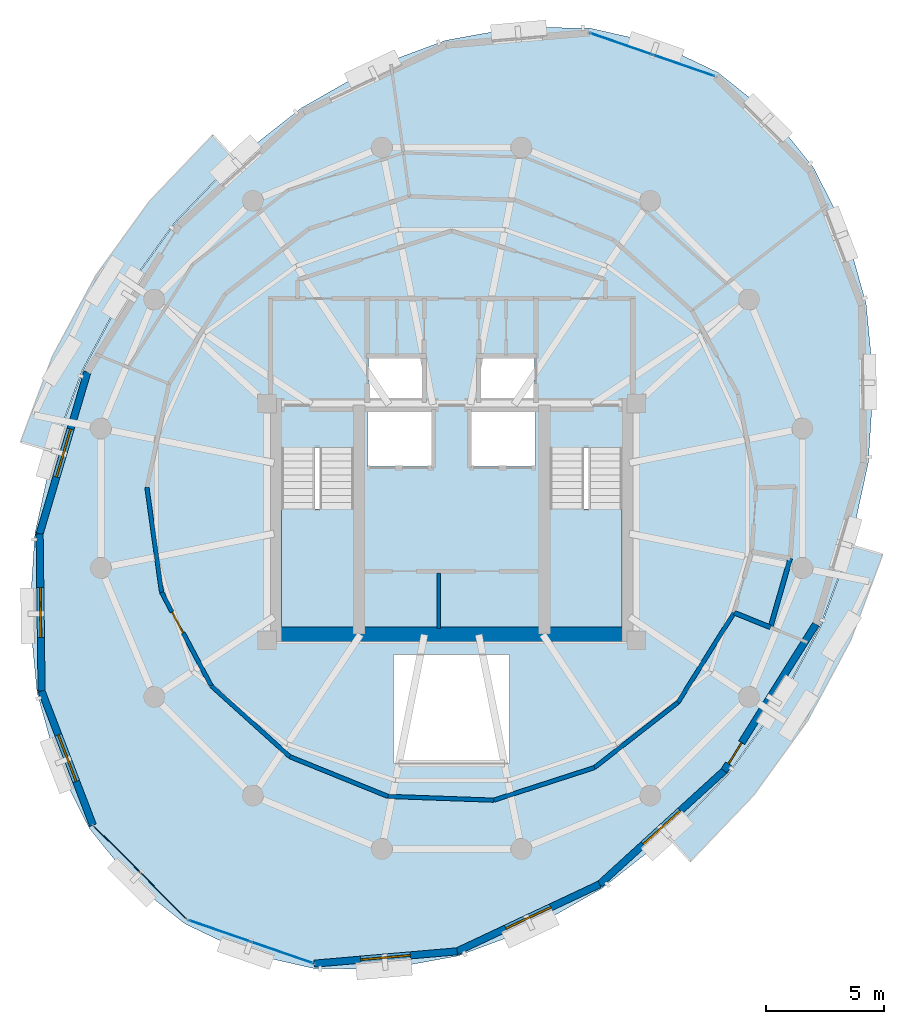
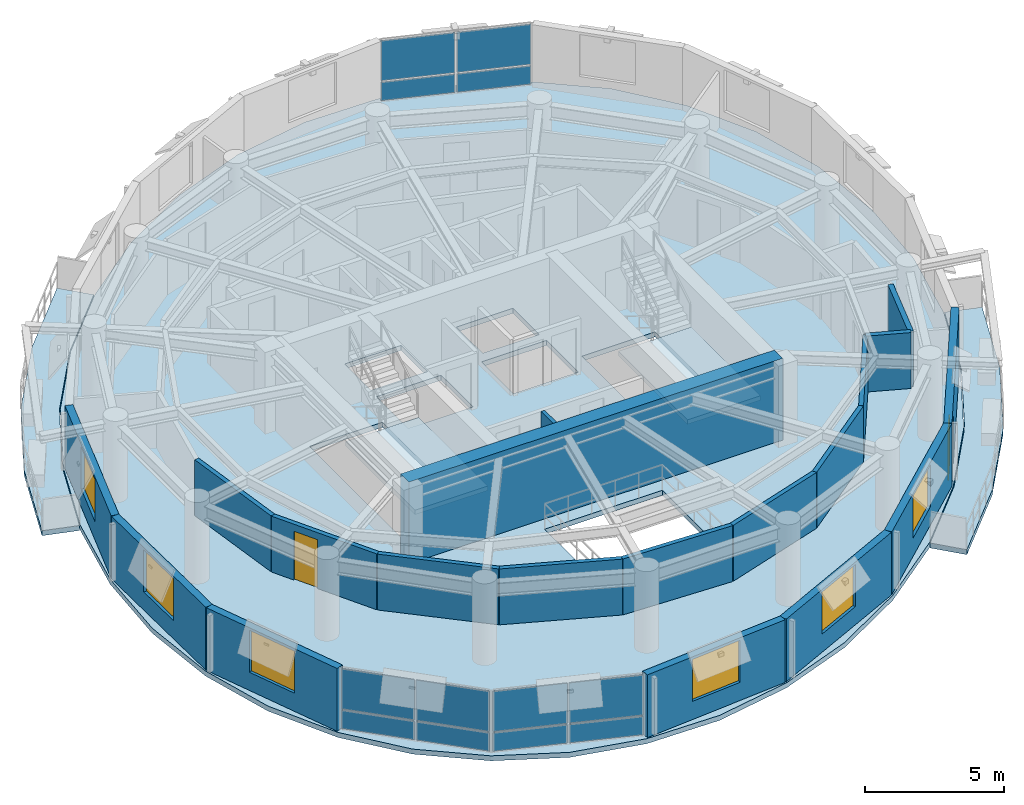
# One storey, part 6 of 11: 19 walls, 12 plates, 6 windows, 5 slabs, 2 doors, 8 openings, 5 elements without a shape of their own.
"""IFC4 building model written with IfcOpenShell, lengths in metres."""

from ifc_helpers import new_model, si_unit, direction, frame, frame_2d, origin, origin_2d, place, context, subcontext, project, spatial, polyline, rectangle, outline, extrude, material, layer, layer_set, type_object, element, fill, aggregate, save


model = new_model("IFC4")

# Units and contexts
model_context = context("Model", 3, precision=1e-05, world=origin(), true_north=direction((0.0, 1.0)))
body_context = subcontext(model_context, "Body", "Model", "MODEL_VIEW")
ifc_project = project(units=[si_unit("LENGTHUNIT", "METRE"), si_unit("AREAUNIT", "SQUARE_METRE"), si_unit("VOLUMEUNIT", "CUBIC_METRE"), si_unit("PLANEANGLEUNIT", "RADIAN"), si_unit("MASSUNIT", "GRAM", prefix="KILO"), si_unit("THERMODYNAMICTEMPERATUREUNIT", "KELVIN"), si_unit("POWERUNIT", "WATT")], contexts=[model_context])

# Site, building, storey
site_placement = place(None, origin())
site = spatial("IfcSite", under=ifc_project, at=site_placement, CompositionType="ELEMENT")
building_placement = place(site_placement, origin())
building = spatial("IfcBuilding", under=site, at=building_placement, Name="Ocrelia Relay Tower", CompositionType="ELEMENT")
storey_placement = place(building_placement, frame((0.0, 0.0, 270.0)))
storey = spatial("IfcBuildingStorey", under=building, at=storey_placement, Name="L67", CompositionType="ELEMENT", Elevation=270.0)

# Curtain wall, plates
ifc_material_1 = material(Name="Aluminium and solar-control low-E glass", Category="aluminium")
ifc_layer_1 = layer(ifc_material_1, 0.179931640625, Name="Aluminium and solar-control low-E glass")
ifc_layer_set_1 = layer_set([ifc_layer_1], Name="Aluminium and solar-control low-E glass")
curtain_wall_type = type_object("IfcCurtainWallType", Name="CW-SYS-Z4-EXEC", PredefinedType="NOTDEFINED", material=ifc_layer_set_1)
curtain_wall_1_placement = place(storey_placement, origin())
curtain_wall_1 = element("IfcCurtainWall", 1, at=curtain_wall_1_placement, inside=storey, type_object=curtain_wall_type, Name="L67 Elliptical Tower Curtain Wall Bay 01", PredefinedType="NOTDEFINED")
ifc_material_2 = material(Name="Clear double-glazed low-E glass", Category="glass")
ifc_layer_2 = layer(ifc_material_2, 0.031982421875, Name="Clear double-glazed low-E glass")
ifc_layer_set_2 = layer_set([ifc_layer_2], Name="Clear double-glazed low-E glass")
plate_type = type_object("IfcPlateType", Name="CW-SYS-Z4-EXEC-PNL", PredefinedType="CURTAIN_PANEL", material=ifc_layer_set_2)
plate_1_placement = place(storey_placement, frame((43.793701171875, 44.266845703125, 0.06005859375), z_axis=(0.0, 0.0, 1.0), x_axis=(-0.944959768573, 0.327186545839, 0.0)))
plate_1 = element("IfcPlate", 2, at=plate_1_placement, type_object=plate_type, Name="CW-Z4 panel 1.1", PredefinedType="CURTAIN_PANEL", context=body_context, shape_type="SweptSolid", body=[
    extrude(rectangle(XDim=2.7275390625, YDim=0.031982421875, at=origin_2d()), origin(), (0.0, 0.0, 1.0), 0.81005859375),
])
plate_2_placement = place(storey_placement, frame((43.793701171875, 44.266845703125, 0.929931640625), z_axis=(0.0, 0.0, 1.0), x_axis=(-0.944959768573, 0.327186545839, 0.0)))
plate_2 = element("IfcPlate", 3, at=plate_2_placement, type_object=plate_type, Name="CW-Z4 panel 1.2", PredefinedType="CURTAIN_PANEL", context=body_context, shape_type="SweptSolid", body=[
    extrude(rectangle(XDim=2.7275390625, YDim=0.031982421875, at=origin_2d()), origin(), (0.0, 0.0, 1.0), 1.77001953125),
])
plate_3_placement = place(storey_placement, frame((41.15478515625, 45.180419921875, 0.06005859375), z_axis=(0.0, 0.0, 1.0), x_axis=(-0.944959768573, 0.327186545839, 0.0)))
plate_3 = element("IfcPlate", 4, at=plate_3_placement, type_object=plate_type, Name="CW-Z4 panel 2.1", PredefinedType="CURTAIN_PANEL", context=body_context, shape_type="SweptSolid", body=[
    extrude(rectangle(XDim=2.7275390625, YDim=0.031982421875, at=origin_2d()), origin(), (0.0, 0.0, 1.0), 0.81005859375),
])
plate_4_placement = place(storey_placement, frame((41.15478515625, 45.180419921875, 0.929931640625), z_axis=(0.0, 0.0, 1.0), x_axis=(-0.944959768573, 0.327186545839, 0.0)))
plate_4 = element("IfcPlate", 5, at=plate_4_placement, type_object=plate_type, Name="CW-Z4 panel 2.2", PredefinedType="CURTAIN_PANEL", context=body_context, shape_type="SweptSolid", body=[
    extrude(rectangle(XDim=2.7275390625, YDim=0.031982421875, at=origin_2d()), origin(), (0.0, 0.0, 1.0), 1.77001953125),
])
aggregate(curtain_wall_1, [plate_1, plate_2, plate_3, plate_4])

curtain_wall_2_placement = place(storey_placement, origin())
curtain_wall_2 = element("IfcCurtainWall", 6, at=curtain_wall_2_placement, inside=storey, type_object=curtain_wall_type, Name="L67 Elliptical Tower Curtain Wall Bay 09", PredefinedType="NOTDEFINED")
plate_5_placement = place(storey_placement, frame((19.871337890625, 11.185791015625, 0.06005859375), z_axis=(0.0, 0.0, 1.0), x_axis=(0.707080233327, -0.707133328049, 0.0)))
plate_5 = element("IfcPlate", 7, at=plate_5_placement, type_object=plate_type, Name="CW-Z4 panel 1.1", PredefinedType="CURTAIN_PANEL", context=body_context, shape_type="SweptSolid", body=[
    extrude(rectangle(XDim=2.7275390625, YDim=0.031982421875, at=origin_2d()), origin(), (0.0, 0.0, 1.0), 0.81005859375),
])
plate_6_placement = place(storey_placement, frame((19.871337890625, 11.185791015625, 0.929931640625), z_axis=(0.0, 0.0, 1.0), x_axis=(0.707080233327, -0.707133328049, 0.0)))
plate_6 = element("IfcPlate", 8, at=plate_6_placement, type_object=plate_type, Name="CW-Z4 panel 1.2", PredefinedType="CURTAIN_PANEL", context=body_context, shape_type="SweptSolid", body=[
    extrude(rectangle(XDim=2.7275390625, YDim=0.031982421875, at=origin_2d()), origin(), (0.0, 0.0, 1.0), 1.77001953125),
])
plate_7_placement = place(storey_placement, frame((21.845947265625, 9.211181640625, 0.06005859375), z_axis=(0.0, 0.0, 1.0), x_axis=(0.707080233327, -0.707133328049, 0.0)))
plate_7 = element("IfcPlate", 9, at=plate_7_placement, type_object=plate_type, Name="CW-Z4 panel 2.1", PredefinedType="CURTAIN_PANEL", context=body_context, shape_type="SweptSolid", body=[
    extrude(rectangle(XDim=2.7275390625, YDim=0.031982421875, at=origin_2d()), origin(), (0.0, 0.0, 1.0), 0.81005859375),
])
plate_8_placement = place(storey_placement, frame((21.845947265625, 9.211181640625, 0.929931640625), z_axis=(0.0, 0.0, 1.0), x_axis=(0.707080233327, -0.707133328049, 0.0)))
plate_8 = element("IfcPlate", 10, at=plate_8_placement, type_object=plate_type, Name="CW-Z4 panel 2.2", PredefinedType="CURTAIN_PANEL", context=body_context, shape_type="SweptSolid", body=[
    extrude(rectangle(XDim=2.7275390625, YDim=0.031982421875, at=origin_2d()), origin(), (0.0, 0.0, 1.0), 1.77001953125),
])
aggregate(curtain_wall_2, [plate_5, plate_6, plate_7, plate_8])

curtain_wall_3_placement = place(storey_placement, origin())
curtain_wall_3 = element("IfcCurtainWall", 11, at=curtain_wall_3_placement, inside=storey, type_object=curtain_wall_type, Name="L67 Elliptical Tower Curtain Wall Bay 10", PredefinedType="NOTDEFINED")
plate_9_placement = place(storey_placement, frame((24.206298828125, 7.733154296875, 0.06005859375), z_axis=(0.0, 0.0, 1.0), x_axis=(0.944959768573, -0.327186545839, 0.0)))
plate_9 = element("IfcPlate", 12, at=plate_9_placement, type_object=plate_type, Name="CW-Z4 panel 1.1", PredefinedType="CURTAIN_PANEL", context=body_context, shape_type="SweptSolid", body=[
    extrude(rectangle(XDim=2.7275390625, YDim=0.031982421875, at=origin_2d()), origin(), (0.0, 0.0, 1.0), 0.81005859375),
])
plate_10_placement = place(storey_placement, frame((24.206298828125, 7.733154296875, 0.929931640625), z_axis=(0.0, 0.0, 1.0), x_axis=(0.944959768573, -0.327186545839, 0.0)))
plate_10 = element("IfcPlate", 13, at=plate_10_placement, type_object=plate_type, Name="CW-Z4 panel 1.2", PredefinedType="CURTAIN_PANEL", context=body_context, shape_type="SweptSolid", body=[
    extrude(rectangle(XDim=2.7275390625, YDim=0.031982421875, at=origin_2d()), origin(), (0.0, 0.0, 1.0), 1.77001953125),
])
plate_11_placement = place(storey_placement, frame((26.84521484375, 6.819580078125, 0.06005859375), z_axis=(0.0, 0.0, 1.0), x_axis=(0.944959768573, -0.327186545839, 0.0)))
plate_11 = element("IfcPlate", 14, at=plate_11_placement, type_object=plate_type, Name="CW-Z4 panel 2.1", PredefinedType="CURTAIN_PANEL", context=body_context, shape_type="SweptSolid", body=[
    extrude(rectangle(XDim=2.7275390625, YDim=0.031982421875, at=origin_2d()), origin(), (0.0, 0.0, 1.0), 0.81005859375),
])
plate_12_placement = place(storey_placement, frame((26.84521484375, 6.819580078125, 0.929931640625), z_axis=(0.0, 0.0, 1.0), x_axis=(0.944959768573, -0.327186545839, 0.0)))
plate_12 = element("IfcPlate", 15, at=plate_12_placement, type_object=plate_type, Name="CW-Z4 panel 2.2", PredefinedType="CURTAIN_PANEL", context=body_context, shape_type="SweptSolid", body=[
    extrude(rectangle(XDim=2.7275390625, YDim=0.031982421875, at=origin_2d()), origin(), (0.0, 0.0, 1.0), 1.77001953125),
])
aggregate(curtain_wall_3, [plate_9, plate_10, plate_11, plate_12])

# Slabs
ifc_material_3 = material(Name="Precast concrete C40/50", Category="concrete")
ifc_layer_3 = layer(ifc_material_3, 0.219970703125, Name="Precast concrete C40/50")
ifc_layer_set_3 = layer_set([ifc_layer_3], Name="Precast concrete C40/50")
slab_type_1 = type_object("IfcSlabType", Name="SL-BALC-220", PredefinedType="FLOOR", material=ifc_layer_set_3)
slab_1_placement = place(storey_placement, frame((0.0, 0.0, -0.219970703125)))
element("IfcSlab", 16, at=slab_1_placement, inside=storey, type_object=slab_type_1, Name="L67 Planted Loggia Balcony B1", PredefinedType="FLOOR", context=body_context, shape_type="SweptSolid", body=[
    extrude(outline(polyline([(24.84521484375, 40.296142578125), (23.5849609375, 38.97705078125), (22.32470703125, 37.65771484375), (20.158935546875, 34.665771484375), (18.413330078125, 31.410400390625), (17.777099609375, 29.70068359375), (17.140869140625, 27.990966796875), (15.803955078125, 28.383544921875), (16.4736328125, 30.18359375), (17.1435546875, 31.98388671875), (18.97802734375, 35.40478515625), (21.254150390625, 38.549560546875), (22.5810546875, 39.9384765625), (23.90771484375, 41.3271484375), (24.84521484375, 40.296142578125)])), origin(), (0.0, 0.0, 1.0), 0.219970703125),
])
slab_2_placement = place(storey_placement, frame((0.0, 0.0, -0.219970703125)))
element("IfcSlab", 17, at=slab_2_placement, inside=storey, type_object=slab_type_1, Name="L67 Planted Loggia Balcony B2", PredefinedType="FLOOR", context=body_context, shape_type="SweptSolid", body=[
    extrude(outline(polyline([(43.15478515625, 11.703857421875), (44.4150390625, 13.023193359375), (45.67529296875, 14.34228515625), (47.841064453125, 17.334228515625), (49.586669921875, 20.589599609375), (50.222900390625, 22.29931640625), (50.859130859375, 24.009033203125), (52.196044921875, 23.616455078125), (51.5263671875, 21.81640625), (50.8564453125, 20.01611328125), (49.02197265625, 16.59521484375), (46.745849609375, 13.450439453125), (45.4189453125, 12.0615234375), (44.09228515625, 10.6728515625), (43.15478515625, 11.703857421875)])), origin(), (0.0, 0.0, 1.0), 0.219970703125),
])
ifc_material_4 = material(Name="Concrete C50/60", Category="concrete")
ifc_layer_4 = layer(ifc_material_4, 0.219970703125, Name="Concrete C50/60")
ifc_layer_set_4 = layer_set([ifc_layer_4], Name="Concrete C50/60")
slab_type_2 = type_object("IfcSlabType", Name="SL-FLR-220", PredefinedType="FLOOR", material=ifc_layer_set_4)
slab_3_placement = place(storey_placement, frame((0.0, 0.0, -0.219970703125)))
element("IfcSlab", 18, at=slab_3_placement, inside=storey, type_object=slab_type_2, Name="L67 Elliptical Tower Floor Slab", PredefinedType="FLOOR", context=body_context, shape_type="SweptSolid", body=[
    extrude(outline(polyline([(45.25, 43.96875), (42.679931640625, 45.19775390625), (39.84619140625, 45.843505859375), (36.8349609375, 45.88623046875), (33.737548828125, 45.324951171875), (30.64794921875, 44.17626953125), (27.660400390625, 42.475341796875), (24.865234375, 40.273681640625), (22.347900390625, 37.638671875), (20.184326171875, 34.649658203125), (18.440673828125, 31.398193359375), (17.169921875, 27.982421875), (16.410400390625, 24.506591796875), (16.185302734375, 21.075927734375), (16.50146484375, 17.794921875), (17.349365234375, 14.763427734375), (18.703369140625, 12.0732421875), (20.52197265625, 9.80615234375), (22.75, 8.03125), (25.320068359375, 6.80224609375), (28.15380859375, 6.156494140625), (31.1650390625, 6.11376953125), (34.262451171875, 6.675048828125), (37.35205078125, 7.82373046875), (40.339599609375, 9.524658203125), (43.134765625, 11.726318359375), (45.652099609375, 14.361328125), (47.815673828125, 17.350341796875), (49.559326171875, 20.601806640625), (50.830078125, 24.017578125), (51.589599609375, 27.493408203125), (51.814697265625, 30.924072265625), (51.49853515625, 34.205078125), (50.650634765625, 37.236572265625), (49.296630859375, 39.9267578125), (47.47802734375, 42.19384765625), (45.25, 43.96875)]), holes=[polyline([(26.81005859375, 28.14990234375), (26.81005859375, 20.550048828125), (29.85009765625, 20.550048828125), (29.85009765625, 28.14990234375), (26.81005859375, 28.14990234375)]), polyline([(38.159912109375, 28.14990234375), (38.159912109375, 20.550048828125), (41.199951171875, 20.550048828125), (41.199951171875, 28.14990234375), (38.159912109375, 28.14990234375)]), polyline([(30.4599609375, 27.35009765625), (33.159912109375, 27.35009765625), (33.159912109375, 29.64990234375), (30.4599609375, 29.64990234375), (30.4599609375, 27.35009765625)]), polyline([(34.840087890625, 27.35009765625), (37.5400390625, 27.35009765625), (37.5400390625, 29.64990234375), (34.840087890625, 29.64990234375), (34.840087890625, 27.35009765625)]), polyline([(30.5, 30.10009765625), (32.85009765625, 30.10009765625), (32.85009765625, 32.0), (30.5, 32.0), (30.5, 30.10009765625)]), polyline([(35.14990234375, 30.10009765625), (37.5, 30.10009765625), (37.5, 32.0), (35.14990234375, 32.0), (35.14990234375, 30.10009765625)]), polyline([(31.550048828125, 14.800048828125), (36.449951171875, 14.800048828125), (36.449951171875, 19.39990234375), (31.550048828125, 19.39990234375), (31.550048828125, 14.800048828125)])]), origin(), (0.0, 0.0, 1.0), 0.219970703125),
])

# Stair, slab
stair_type = type_object("IfcStairType", Name="ST-DL-1420-R180", PredefinedType="HALF_TURN_STAIR", material=ifc_material_4)
stair_1_placement = place(storey_placement, origin())
stair_1 = element("IfcStair", 19, at=stair_1_placement, inside=storey, type_object=stair_type, Name="L67 West Core Exit Stair ST1", PredefinedType="HALF_TURN_STAIR")
ifc_layer_5 = layer(ifc_material_4, 0.199951171875, Name="Concrete C50/60")
ifc_layer_set_5 = layer_set([ifc_layer_5], Name="Concrete C50/60")
slab_type_3 = type_object("IfcSlabType", Name="SL-LANDING-200", PredefinedType="LANDING", material=ifc_layer_set_5)
slab_4_placement = place(storey_placement, frame((0.0, 0.0, 1.60009765625)))
slab_4 = element("IfcSlab", 20, at=slab_4_placement, type_object=slab_type_3, Name="ST1 landing 1", PredefinedType="LANDING", context=body_context, shape_type="SweptSolid", body=[
    extrude(outline(polyline([(26.81005859375, 25.5400390625), (26.81005859375, 20.550048828125), (29.85009765625, 20.550048828125), (29.85009765625, 25.5400390625), (26.81005859375, 25.5400390625)])), origin(), (0.0, 0.0, 1.0), 0.199951171875),
])
aggregate(stair_1, [slab_4])

stair_2_placement = place(storey_placement, origin())
stair_2 = element("IfcStair", 21, at=stair_2_placement, inside=storey, type_object=stair_type, Name="L67 East Core Exit Stair ST2", PredefinedType="HALF_TURN_STAIR")
slab_5_placement = place(storey_placement, frame((0.0, 0.0, 1.60009765625)))
slab_5 = element("IfcSlab", 22, at=slab_5_placement, type_object=slab_type_3, Name="ST2 landing 1", PredefinedType="LANDING", context=body_context, shape_type="SweptSolid", body=[
    extrude(outline(polyline([(38.159912109375, 25.5400390625), (38.159912109375, 20.550048828125), (41.199951171875, 20.550048828125), (41.199951171875, 25.5400390625), (38.159912109375, 25.5400390625)])), origin(), (0.0, 0.0, 1.0), 0.199951171875),
])
aggregate(stair_2, [slab_5])

# Walls
ifc_layer_6 = layer(ifc_material_4, 0.60009765625, Name="Concrete C50/60")
ifc_layer_set_6 = layer_set([ifc_layer_6], Name="Concrete C50/60")
wall_type_1 = type_object("IfcWallType", Name="CW-CORE-600B", PredefinedType="SHEAR", material=ifc_layer_set_6)
wall_1_placement = place(storey_placement, frame((26.221923828125, 20.261962890625, 0.0), z_axis=(0.0, 0.0, 1.0), x_axis=(1.0, 0.0, 0.0)))
element("IfcWall", 23, at=wall_1_placement, inside=storey, type_object=wall_type_1, Name="L67 Core Shear Wall S", PredefinedType="SHEAR", context=body_context, shape_type="SweptSolid", body=[
    extrude(rectangle(XDim=15.566162109375, YDim=0.60009765625, at=frame_2d((7.783203125, 0.0))), origin(), (0.0, 0.0, 1.0), 3.60009765625),
])
ifc_material_5 = material(Name="Gypsum Fireboard Partition EI60", Category="gypsum")
ifc_layer_7 = layer(ifc_material_5, 0.179931640625, Name="Gypsum Fireboard Partition EI60")
ifc_layer_set_7 = layer_set([ifc_layer_7], Name="Gypsum Fireboard Partition EI60")
wall_type_2 = type_object("IfcWallType", Name="W-CORR-EI60-180", PredefinedType="PARTITIONING", material=ifc_layer_set_7)
wall_2_placement = place(storey_placement, frame((21.13818359375, 26.46044921875, 0.0), z_axis=(0.0, 0.0, 1.0), x_axis=(0.138300695072, -0.990390285565, 0.0)))
element("IfcWall", 24, at=wall_2_placement, inside=storey, type_object=wall_type_2, Name="L67 Satellite Telemetry Lab Corridor Partition 2", PredefinedType="PARTITIONING", context=body_context, shape_type="SweptSolid", body=[
    extrude(rectangle(XDim=4.4697265625, YDim=0.179931640625, at=frame_2d((2.23486328125, 0.0))), origin(), (0.0, 0.0, 1.0), 2.4599609375),
])

# Wall, opening, door
wall_3_placement = place(storey_placement, frame((21.75634765625, 22.03369140625, 0.0), z_axis=(0.0, 0.0, 1.0), x_axis=(0.468690582653, -0.883362404527, 0.0)))
wall_3 = element("IfcWall", 25, at=wall_3_placement, inside=storey, type_object=wall_type_2, Name="L67 Satellite Telemetry Lab Corridor Partition 3", PredefinedType="PARTITIONING", context=body_context, shape_type="SweptSolid", body=[
    extrude(rectangle(XDim=4.4697265625, YDim=0.179931640625, at=frame_2d((2.23486328125, 0.0))), origin(), (0.0, 0.0, 1.0), 2.4599609375),
])
opening_1_placement = place(wall_3_placement, frame((0.9423828125, 0.0, 0.0)))
opening_1 = element("IfcOpeningElement", 26, at=opening_1_placement, cuts=wall_3, Name="Opening D-RM100", PredefinedType="OPENING", context=body_context, shape_type="SweptSolid", body=[
    extrude(rectangle(XDim=1.0, YDim=2.14990234375, at=frame_2d((0.5, 1.074951171875))), frame((0.0, 0.10009765625, 0.0), z_axis=(0.0, -1.0, 0.0), x_axis=(1.0, 0.0, 0.0)), (0.0, 0.0, 1.0), 0.199951171875),
])
ifc_material_6 = material(Name="Acoustic oak veneer fire door", Category="wood")
door_type_1 = type_object("IfcDoorType", Name="DR-ROOM-FD60-1000", OperationType="NOTDEFINED", PredefinedType="DOOR", material=ifc_material_6)
door_1_placement = place(opening_1_placement, origin())
door_1 = element("IfcDoor", 27, at=door_1_placement, inside=storey, type_object=door_type_1, Name="L67 Satellite Telemetry Lab Entrance Door", OperationType="SINGLE_SWING_LEFT", OverallHeight=2.14990234375, OverallWidth=1.0, PredefinedType="DOOR", context=body_context, shape_type="SweptSolid", body=[
    extrude(rectangle(XDim=1.0, YDim=2.14990234375, at=frame_2d((0.5, 1.074951171875))), frame((0.0, 0.02490234375, 0.0), z_axis=(0.0, -1.0, 0.0), x_axis=(1.0, 0.0, 0.0)), (0.0, 0.0, 1.0), 0.050048828125),
])
fill(opening_1, door_1)

# Walls
for number, where, z_axis, x_axis, name in (
    (28, (23.851318359375, 18.085205078125, 0.0), (0.0, 0.0, 1.0), (0.742573984857, -0.669764045775, 0.0), "L67 Satellite Telemetry Lab Corridor Partition 4"),
    (29, (27.17041015625, 15.091552734375, 0.0), (0.0, 0.0, 1.0), (0.926859496036, -0.375408410411, 0.0), "L67 Satellite Telemetry Lab Corridor Partition 5"),
    (30, (31.313232421875, 13.41357421875, 0.0), (0.0, 0.0, 1.0), (0.999359789069, -0.035777255238, 0.0), "L67 Satellite Telemetry Lab Corridor Partition 6"),
    (31, (35.780029296875, 13.253662109375, 0.0), (0.0, 0.0, 1.0), (0.951331063375, 0.30817074465, 0.0), "L67 Satellite Telemetry Lab Corridor Partition 7"),
    (32, (40.0322265625, 14.631103515625, 0.0), (0.0, 0.0, 1.0), (0.78855157168, 0.614968632371, 0.0), "L67 Satellite Telemetry Lab Corridor Partition 8"),
    (33, (43.556884765625, 17.3798828125, 0.0), (0.0, 0.0, 1.0), (0.53063705057, 0.847599150874, 0.0), "L67 Satellite Telemetry Lab Corridor Partition 9"),
):
    element("IfcWall", number, at=place(storey_placement, frame(where, z_axis=z_axis, x_axis=x_axis)), inside=storey, type_object=wall_type_2, Name=name, PredefinedType="PARTITIONING", context=body_context, shape_type="SweptSolid", body=[
        extrude(rectangle(XDim=4.4697265625, YDim=0.179931640625, at=frame_2d((2.23486328125, 0.0))), origin(), (0.0, 0.0, 1.0), 2.4599609375),
    ])

# Wall, opening, window
ifc_material_7 = material(Name="Precast concrete C40/50 with oxide terracotta", Category="masonry")
ifc_layer_8 = layer(ifc_material_7, 0.300048828125, Name="Precast concrete C40/50 with oxide terracotta")
ifc_layer_set_8 = layer_set([ifc_layer_8], Name="Precast concrete C40/50 with oxide terracotta")
wall_type_3 = type_object("IfcWallType", Name="W-EXT-TERR-300", PredefinedType="SOLIDWALL", material=ifc_layer_set_8)
wall_4_placement = place(storey_placement, frame((18.626220703125, 31.322998046875, 0.0), z_axis=(0.0, 0.0, 1.0), x_axis=(-0.283347575433, -0.959017284253, 0.0)))
wall_4 = element("IfcWall", 34, at=wall_4_placement, inside=storey, type_object=wall_type_3, Name="L67 Oxide Terracotta Facade Wall 06", PredefinedType="SOLIDWALL", context=body_context, shape_type="SweptSolid", body=[
    extrude(rectangle(XDim=7.115234375, YDim=0.300048828125, at=frame_2d((3.5576171875, 0.0))), origin(), (0.0, 0.0, 1.0), 2.760009765625),
])
opening_2_placement = place(wall_4_placement, frame((2.508056640625, 0.0, 0.800048828125)))
opening_2 = element("IfcOpeningElement", 35, at=opening_2_placement, cuts=wall_4, Name="Opening W-07", PredefinedType="OPENING", context=body_context, shape_type="SweptSolid", body=[
    extrude(rectangle(XDim=2.10009765625, YDim=1.85009765625, at=frame_2d((1.050048828125, 0.925048828125))), frame((0.0, 0.16015625, 0.0), z_axis=(0.0, -1.0, 0.0), x_axis=(1.0, 0.0, 0.0)), (0.0, 0.0, 1.0), 0.320068359375),
])
window_type = type_object("IfcWindowType", Name="WIN-Z4-2100x2200", PartitioningType="DOUBLE_PANEL_VERTICAL", PredefinedType="WINDOW", material=ifc_material_2)
window_1_placement = place(opening_2_placement, origin())
window_1 = element("IfcWindow", 36, at=window_1_placement, inside=storey, type_object=window_type, Name="L67 Facade Module Window 06", OverallHeight=1.85009765625, OverallWidth=2.10009765625, PartitioningType="SINGLE_PANEL", PredefinedType="WINDOW", context=body_context, shape_type="SweptSolid", body=[
    extrude(rectangle(XDim=2.10009765625, YDim=1.85009765625, at=frame_2d((1.050048828125, 0.925048828125))), frame((0.0, 0.030029296875, 0.0), z_axis=(0.0, -1.0, 0.0), x_axis=(1.0, 0.0, 0.0)), (0.0, 0.0, 1.0), 0.06005859375),
])
fill(opening_2, window_1)

wall_5_placement = place(storey_placement, frame((16.610107421875, 24.499267578125, 0.0), z_axis=(0.0, 0.0, 1.0), x_axis=(0.012311621951, -0.99992420911, 0.0)))
wall_5 = element("IfcWall", 37, at=wall_5_placement, inside=storey, type_object=wall_type_3, Name="L67 Oxide Terracotta Facade Wall 07", PredefinedType="SOLIDWALL", context=body_context, shape_type="SweptSolid", body=[
    extrude(rectangle(XDim=6.64306640625, YDim=0.300048828125, at=frame_2d((3.321533203125, 0.0))), origin(), (0.0, 0.0, 1.0), 2.760009765625),
])
opening_3_placement = place(wall_5_placement, frame((2.27197265625, 0.0, 0.800048828125)))
opening_3 = element("IfcOpeningElement", 38, at=opening_3_placement, cuts=wall_5, Name="Opening W-07", PredefinedType="OPENING", context=body_context, shape_type="SweptSolid", body=[
    extrude(rectangle(XDim=2.10009765625, YDim=1.85009765625, at=frame_2d((1.050048828125, 0.925048828125))), frame((0.0, 0.16015625, 0.0), z_axis=(0.0, -1.0, 0.0), x_axis=(1.0, 0.0, 0.0)), (0.0, 0.0, 1.0), 0.320068359375),
])
window_2_placement = place(opening_3_placement, origin())
window_2 = element("IfcWindow", 39, at=window_2_placement, inside=storey, type_object=window_type, Name="L67 Facade Module Window 07", OverallHeight=1.85009765625, OverallWidth=2.10009765625, PartitioningType="SINGLE_PANEL", PredefinedType="WINDOW", context=body_context, shape_type="SweptSolid", body=[
    extrude(rectangle(XDim=2.10009765625, YDim=1.85009765625, at=frame_2d((1.050048828125, 0.925048828125))), frame((0.0, 0.030029296875, 0.0), z_axis=(0.0, -1.0, 0.0), x_axis=(1.0, 0.0, 0.0)), (0.0, 0.0, 1.0), 0.06005859375),
])
fill(opening_3, window_2)

wall_6_placement = place(storey_placement, frame((16.69189453125, 17.856689453125, 0.0), z_axis=(0.0, 0.0, 1.0), x_axis=(0.357845295603, -0.933780886726, 0.0)))
wall_6 = element("IfcWall", 40, at=wall_6_placement, inside=storey, type_object=wall_type_3, Name="L67 Oxide Terracotta Facade Wall 08", PredefinedType="SOLIDWALL", context=body_context, shape_type="SweptSolid", body=[
    extrude(rectangle(XDim=6.061767578125, YDim=0.300048828125, at=frame_2d((3.03076171875, 0.0))), origin(), (0.0, 0.0, 1.0), 2.760009765625),
])
opening_4_placement = place(wall_6_placement, frame((1.98095703125, 0.0, 0.800048828125)))
opening_4 = element("IfcOpeningElement", 41, at=opening_4_placement, cuts=wall_6, Name="Opening W-07", PredefinedType="OPENING", context=body_context, shape_type="SweptSolid", body=[
    extrude(rectangle(XDim=2.10009765625, YDim=1.85009765625, at=frame_2d((1.050048828125, 0.925048828125))), frame((0.0, 0.16015625, 0.0), z_axis=(0.0, -1.0, 0.0), x_axis=(1.0, 0.0, 0.0)), (0.0, 0.0, 1.0), 0.320068359375),
])
window_3_placement = place(opening_4_placement, origin())
window_3 = element("IfcWindow", 42, at=window_3_placement, inside=storey, type_object=window_type, Name="L67 Facade Module Window 08", OverallHeight=1.85009765625, OverallWidth=2.10009765625, PartitioningType="SINGLE_PANEL", PredefinedType="WINDOW", context=body_context, shape_type="SweptSolid", body=[
    extrude(rectangle(XDim=2.10009765625, YDim=1.85009765625, at=frame_2d((1.050048828125, 0.925048828125))), frame((0.0, 0.030029296875, 0.0), z_axis=(0.0, -1.0, 0.0), x_axis=(1.0, 0.0, 0.0)), (0.0, 0.0, 1.0), 0.06005859375),
])
fill(opening_4, window_3)

wall_7_placement = place(storey_placement, frame((28.195556640625, 6.35205078125, 0.0), z_axis=(0.0, 0.0, 1.0), x_axis=(0.996296147919, 0.08598828782, 0.0)))
wall_7 = element("IfcWall", 43, at=wall_7_placement, inside=storey, type_object=wall_type_3, Name="L67 Oxide Terracotta Facade Wall 11", PredefinedType="SOLIDWALL", context=body_context, shape_type="SweptSolid", body=[
    extrude(rectangle(XDim=6.061767578125, YDim=0.300048828125, at=frame_2d((3.03076171875, 0.0))), origin(), (0.0, 0.0, 1.0), 2.760009765625),
])
opening_5_placement = place(wall_7_placement, frame((1.98095703125, 0.0, 0.800048828125)))
opening_5 = element("IfcOpeningElement", 44, at=opening_5_placement, cuts=wall_7, Name="Opening W-07", PredefinedType="OPENING", context=body_context, shape_type="SweptSolid", body=[
    extrude(rectangle(XDim=2.10009765625, YDim=1.85009765625, at=frame_2d((1.050048828125, 0.925048828125))), frame((0.0, 0.16015625, 0.0), z_axis=(0.0, -1.0, 0.0), x_axis=(1.0, 0.0, 0.0)), (0.0, 0.0, 1.0), 0.320068359375),
])
window_4_placement = place(opening_5_placement, origin())
window_4 = element("IfcWindow", 45, at=window_4_placement, inside=storey, type_object=window_type, Name="L67 Facade Module Window 11", OverallHeight=1.85009765625, OverallWidth=2.10009765625, PartitioningType="SINGLE_PANEL", PredefinedType="WINDOW", context=body_context, shape_type="SweptSolid", body=[
    extrude(rectangle(XDim=2.10009765625, YDim=1.85009765625, at=frame_2d((1.050048828125, 0.925048828125))), frame((0.0, 0.030029296875, 0.0), z_axis=(0.0, -1.0, 0.0), x_axis=(1.0, 0.0, 0.0)), (0.0, 0.0, 1.0), 0.06005859375),
])
fill(opening_5, window_4)

wall_8_placement = place(storey_placement, frame((34.23486328125, 6.873291015625, 0.0), z_axis=(0.0, 0.0, 1.0), x_axis=(0.904858675558, 0.425712082595, 0.0)))
wall_8 = element("IfcWall", 46, at=wall_8_placement, inside=storey, type_object=wall_type_3, Name="L67 Oxide Terracotta Facade Wall 12", PredefinedType="SOLIDWALL", context=body_context, shape_type="SweptSolid", body=[
    extrude(rectangle(XDim=6.643310546875, YDim=0.300048828125, at=frame_2d((3.32177734375, 0.0))), origin(), (0.0, 0.0, 1.0), 2.760009765625),
])
opening_6_placement = place(wall_8_placement, frame((2.27197265625, 0.0, 0.800048828125)))
opening_6 = element("IfcOpeningElement", 47, at=opening_6_placement, cuts=wall_8, Name="Opening W-07", PredefinedType="OPENING", context=body_context, shape_type="SweptSolid", body=[
    extrude(rectangle(XDim=2.10009765625, YDim=1.85009765625, at=frame_2d((1.050048828125, 0.925048828125))), frame((0.0, 0.16015625, 0.0), z_axis=(0.0, -1.0, 0.0), x_axis=(1.0, 0.0, 0.0)), (0.0, 0.0, 1.0), 0.320068359375),
])
window_5_placement = place(opening_6_placement, origin())
window_5 = element("IfcWindow", 48, at=window_5_placement, inside=storey, type_object=window_type, Name="L67 Facade Module Window 12", OverallHeight=1.85009765625, OverallWidth=2.10009765625, PartitioningType="SINGLE_PANEL", PredefinedType="WINDOW", context=body_context, shape_type="SweptSolid", body=[
    extrude(rectangle(XDim=2.10009765625, YDim=1.85009765625, at=frame_2d((1.050048828125, 0.925048828125))), frame((0.0, 0.030029296875, 0.0), z_axis=(0.0, -1.0, 0.0), x_axis=(1.0, 0.0, 0.0)), (0.0, 0.0, 1.0), 0.06005859375),
])
fill(opening_6, window_5)

wall_9_placement = place(storey_placement, frame((40.24609375, 9.701416015625, 0.0), z_axis=(0.0, 0.0, 1.0), x_axis=(0.738936247596, 0.673775349793, 0.0)))
wall_9 = element("IfcWall", 49, at=wall_9_placement, inside=storey, type_object=wall_type_3, Name="L67 Oxide Terracotta Facade Wall 13", PredefinedType="SOLIDWALL", context=body_context, shape_type="SweptSolid", body=[
    extrude(rectangle(XDim=7.114990234375, YDim=0.300048828125, at=frame_2d((3.5576171875, 0.0))), origin(), (0.0, 0.0, 1.0), 2.760009765625),
])
opening_7_placement = place(wall_9_placement, frame((2.508056640625, 0.0, 0.800048828125)))
opening_7 = element("IfcOpeningElement", 50, at=opening_7_placement, cuts=wall_9, Name="Opening W-07", PredefinedType="OPENING", context=body_context, shape_type="SweptSolid", body=[
    extrude(rectangle(XDim=2.10009765625, YDim=1.85009765625, at=frame_2d((1.050048828125, 0.925048828125))), frame((0.0, 0.16015625, 0.0), z_axis=(0.0, -1.0, 0.0), x_axis=(1.0, 0.0, 0.0)), (0.0, 0.0, 1.0), 0.320068359375),
])
window_6_placement = place(opening_7_placement, origin())
window_6 = element("IfcWindow", 51, at=window_6_placement, inside=storey, type_object=window_type, Name="L67 Facade Module Window 13", OverallHeight=1.85009765625, OverallWidth=2.10009765625, PartitioningType="SINGLE_PANEL", PredefinedType="WINDOW", context=body_context, shape_type="SweptSolid", body=[
    extrude(rectangle(XDim=2.10009765625, YDim=1.85009765625, at=frame_2d((1.050048828125, 0.925048828125))), frame((0.0, 0.030029296875, 0.0), z_axis=(0.0, -1.0, 0.0), x_axis=(1.0, 0.0, 0.0)), (0.0, 0.0, 1.0), 0.06005859375),
])
fill(opening_7, window_6)

# Wall, opening, door
wall_10_placement = place(storey_placement, frame((45.503662109375, 14.495361328125, 0.0), z_axis=(0.0, 0.0, 1.0), x_axis=(0.530648729616, 0.847591839129, 0.0)))
wall_10 = element("IfcWall", 52, at=wall_10_placement, inside=storey, type_object=wall_type_3, Name="L67 Oxide Terracotta Facade Wall 14", PredefinedType="SOLIDWALL", context=body_context, shape_type="SweptSolid", body=[
    extrude(rectangle(XDim=7.293212890625, YDim=0.300048828125, at=frame_2d((3.646484375, 0.0))), origin(), (0.0, 0.0, 1.0), 2.760009765625),
])
opening_8_placement = place(wall_10_placement, frame((0.35009765625, 0.0, 0.0)))
opening_8 = element("IfcOpeningElement", 53, at=opening_8_placement, cuts=wall_10, Name="Opening DB-105", PredefinedType="OPENING", context=body_context, shape_type="SweptSolid", body=[
    extrude(rectangle(XDim=1.050048828125, YDim=2.14990234375, at=frame_2d((0.52490234375, 1.074951171875))), frame((0.0, 0.16015625, 0.0), z_axis=(0.0, -1.0, 0.0), x_axis=(1.0, 0.0, 0.0)), (0.0, 0.0, 1.0), 0.320068359375),
])
ifc_material_8 = material(Name="Thermally broken aluminium and clear glass", Category="aluminium")
door_type_2 = type_object("IfcDoorType", Name="DR-BALC-1050", OperationType="NOTDEFINED", PredefinedType="DOOR", material=ifc_material_8)
door_2_placement = place(opening_8_placement, origin())
door_2 = element("IfcDoor", 54, at=door_2_placement, inside=storey, type_object=door_type_2, Name="L67 Planted Loggia Balcony Door B2", OperationType="SINGLE_SWING_LEFT", OverallHeight=2.14990234375, OverallWidth=1.050048828125, PredefinedType="DOOR", context=body_context, shape_type="SweptSolid", body=[
    extrude(rectangle(XDim=1.050048828125, YDim=2.14990234375, at=frame_2d((0.52490234375, 1.074951171875))), frame((0.0, 0.02490234375, 0.0), z_axis=(0.0, -1.0, 0.0), x_axis=(1.0, 0.0, 0.0)), (0.0, 0.0, 1.0), 0.050048828125),
])
fill(opening_8, door_2)

# Walls
ifc_material_9 = material(Name="Acoustic Fireboard Partition EI60", Category="gypsum")
ifc_layer_9 = layer(ifc_material_9, 0.14990234375, Name="Acoustic Fireboard Partition EI60")
ifc_layer_set_9 = layer_set([ifc_layer_9], Name="Acoustic Fireboard Partition EI60")
wall_type_4 = type_object("IfcWallType", Name="W-PART-150", PredefinedType="PARTITIONING", material=ifc_layer_set_9)
wall_11_placement = place(storey_placement, frame((33.4599609375, 20.5, 0.0), z_axis=(0.0, 0.0, 1.0), x_axis=(0.0, 1.0, 0.0)))
element("IfcWall", 55, at=wall_11_placement, inside=storey, type_object=wall_type_4, Name="L67 Reclaimed Core Dividing Wall", PredefinedType="PARTITIONING", context=body_context, shape_type="SweptSolid", body=[
    extrude(rectangle(XDim=2.340087890625, YDim=0.14990234375, at=frame_2d((1.169921875, 0.0))), origin(), (0.0, 0.0, 1.0), 2.4599609375),
])
ifc_material_10 = material(Name="Moisture-Resistant Fireboard Chase Wall EI60", Category="gypsum")
ifc_layer_10 = layer(ifc_material_10, 0.199951171875, Name="Moisture-Resistant Fireboard Chase Wall EI60")
ifc_layer_set_10 = layer_set([ifc_layer_10], Name="Moisture-Resistant Fireboard Chase Wall EI60")
wall_type_5 = type_object("IfcWallType", Name="W-PLUMB-200", PredefinedType="PLUMBINGWALL", material=ifc_layer_set_10)
wall_12_placement = place(storey_placement, frame((45.9287109375, 21.16845703125, 0.0), z_axis=(0.0, 0.0, 1.0), x_axis=(0.926865925113, -0.375392537039, 0.0)))
element("IfcWall", 56, at=wall_12_placement, inside=storey, type_object=wall_type_5, Name="L67 Staff Toilet Plumbing Radial Wall", PredefinedType="PLUMBINGWALL", context=body_context, shape_type="SweptSolid", body=[
    extrude(rectangle(XDim=1.64990234375, YDim=0.199951171875, at=frame_2d((0.824951171875, 0.0))), origin(), (0.0, 0.0, 1.0), 2.4599609375),
])
wall_13_placement = place(storey_placement, frame((47.4580078125, 20.549072265625, 0.0), z_axis=(0.0, 0.0, 1.0), x_axis=(0.276430925785, 0.961033788828, 0.0)))
element("IfcWall", 57, at=wall_13_placement, inside=storey, type_object=wall_type_5, Name="L67 Staff Toilet Back Plumbing Wall", PredefinedType="PLUMBINGWALL", context=body_context, shape_type="SweptSolid", body=[
    extrude(rectangle(XDim=3.035400390625, YDim=0.199951171875, at=frame_2d((1.517578125, 0.0))), origin(), (0.0, 0.0, 1.0), 2.4599609375),
])

save(model, "model.ifc")
